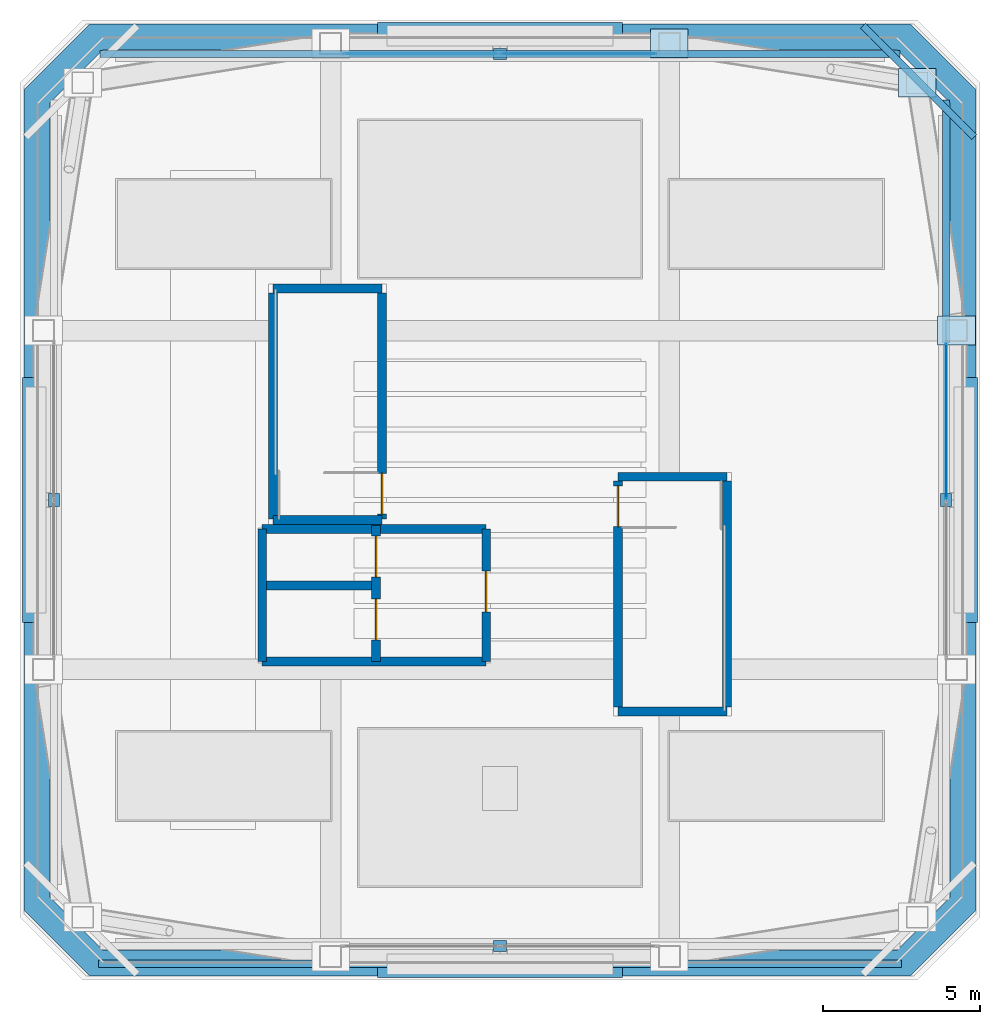
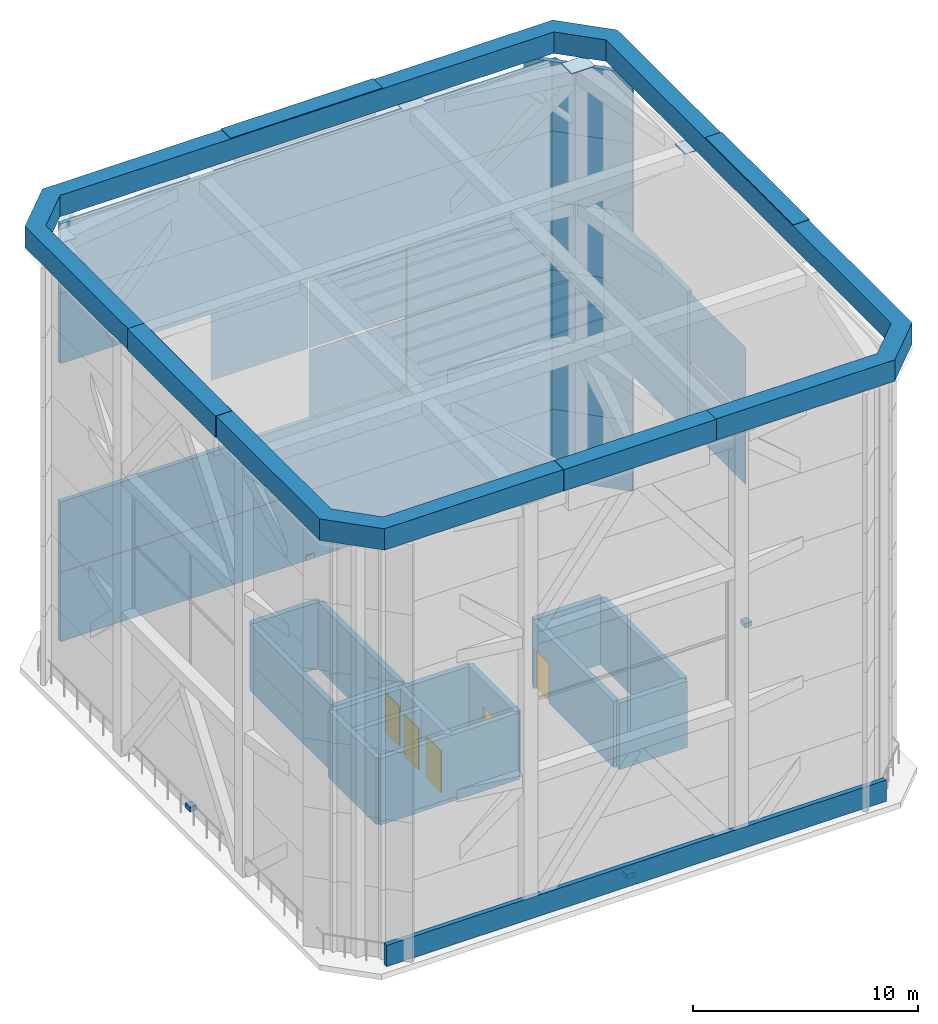
# One storey, part 25 of 28: 22 plates, 15 walls, 5 doors, 5 roofs, 4 discrete accessories, 5 openings, 4 elements without a shape of their own.
"""IFC4 building model written with IfcOpenShell, lengths in metres."""

from ifc_helpers import new_model, si_unit, direction, frame, frame_2d, origin, origin_2d, place, context, subcontext, project, spatial, polyline, rectangle, outline, extrude, material, layer, layer_set, type_object, element, fill, aggregate, save


model = new_model("IFC4")

# Units and contexts
model_context = context("Model", 3, precision=1e-05, world=origin(), true_north=direction((0.0, 1.0)))
body_context = subcontext(model_context, "Body", "Model", "MODEL_VIEW")
ifc_project = project(units=[si_unit("LENGTHUNIT", "METRE"), si_unit("AREAUNIT", "SQUARE_METRE"), si_unit("VOLUMEUNIT", "CUBIC_METRE"), si_unit("PLANEANGLEUNIT", "RADIAN"), si_unit("MASSUNIT", "GRAM", prefix="KILO")], contexts=[model_context])

# Site, building, storey
site_placement = place(None, origin())
site = spatial("IfcSite", under=ifc_project, at=site_placement, CompositionType="ELEMENT")
building_placement = place(site_placement, origin())
building = spatial("IfcBuilding", under=site, at=building_placement, Name="Tashvorn Skyway Center", CompositionType="ELEMENT")
storey_placement = place(building_placement, frame((0.0, 0.0, 277.60009765625)))
storey = spatial("IfcBuildingStorey", under=building, at=storey_placement, Name="Roof Level", CompositionType="ELEMENT", Elevation=277.60009765625)

# Curtain wall, plate
ifc_material_1 = material(Name="Thermally broken bronze-anodized aluminium 6063-T6", Category="aluminium")
curtain_wall_type = type_object("IfcCurtainWallType", Name="CW-CW-SKY", PredefinedType="NOTDEFINED", material=ifc_material_1)
curtain_wall_1_placement = place(storey_placement, origin())
curtain_wall_1 = element("IfcCurtainWall", 1, at=curtain_wall_1_placement, inside=storey, type_object=curtain_wall_type, Name="CROWN Lantern Fritted Curtain Wall T1 E-3", PredefinedType="NOTDEFINED")
ifc_material_2 = material(Name="Low-E solar-control double insulating safety glass", Category="glass")
ifc_layer_1 = layer(ifc_material_2, 0.028076171875)
ifc_layer_set_1 = layer_set([ifc_layer_1], Name="Low-E solar-control double insulating safety glass")
plate_type_1 = type_object("IfcPlateType", Name="CWP-CW-SKY", PredefinedType="CURTAIN_PANEL", material=ifc_layer_set_1)
plate_1_placement = place(storey_placement, frame((56.219970703125, 34.5087890625, 7.5947265625), z_axis=(0.0, 0.0, 1.0), x_axis=(0.0, -1.0, 0.0)))
plate_1 = element("IfcPlate", 2, at=plate_1_placement, type_object=plate_type_1, Name="CW-SKY panel 1.1", PredefinedType="CURTAIN_PANEL", context=body_context, shape_type="SweptSolid", body=[
    extrude(rectangle(XDim=4.952392578125, YDim=0.028076171875, at=origin_2d()), origin(), (0.0, 0.0, 1.0), 3.635009765625),
])
aggregate(curtain_wall_1, [plate_1])

curtain_wall_2_placement = place(storey_placement, origin())
curtain_wall_2 = element("IfcCurtainWall", 3, at=curtain_wall_2_placement, inside=storey, type_object=curtain_wall_type, Name="CROWN Lantern Fritted Curtain Wall T1 E-4", PredefinedType="NOTDEFINED")
plate_2_placement = place(storey_placement, frame((56.219970703125, 34.5087890625, 11.35986328125), z_axis=(0.0, 0.0, 1.0), x_axis=(0.0, -1.0, 0.0)))
plate_2 = element("IfcPlate", 4, at=plate_2_placement, type_object=plate_type_1, Name="CW-SKY panel 1.1", PredefinedType="CURTAIN_PANEL", context=body_context, shape_type="SweptSolid", body=[
    extrude(rectangle(XDim=4.952392578125, YDim=0.028076171875, at=origin_2d()), origin(), (0.0, 0.0, 1.0), 3.635009765625),
])
aggregate(curtain_wall_2, [plate_2])

curtain_wall_3_placement = place(storey_placement, origin())
curtain_wall_3 = element("IfcCurtainWall", 5, at=curtain_wall_3_placement, inside=storey, type_object=curtain_wall_type, Name="CROWN Lantern Fritted Curtain Wall T1 N-3", PredefinedType="NOTDEFINED")
plate_3_placement = place(storey_placement, frame((44.5087890625, 46.219970703125, 7.5947265625), z_axis=(0.0, 0.0, 1.0), x_axis=(1.0, 0.0, 0.0)))
plate_3 = element("IfcPlate", 6, at=plate_3_placement, type_object=plate_type_1, Name="CW-SKY panel 2.1", PredefinedType="CURTAIN_PANEL", context=body_context, shape_type="SweptSolid", body=[
    extrude(rectangle(XDim=4.952392578125, YDim=0.028076171875, at=origin_2d()), origin(), (0.0, 0.0, 1.0), 3.635009765625),
])
aggregate(curtain_wall_3, [plate_3])

# Curtain wall, plates
curtain_wall_4_placement = place(storey_placement, origin())
curtain_wall_4 = element("IfcCurtainWall", 7, at=curtain_wall_4_placement, inside=storey, type_object=curtain_wall_type, Name="CROWN Lantern Fritted Curtain Wall T1 N-4", PredefinedType="NOTDEFINED")
plate_4_placement = place(storey_placement, frame((39.4912109375, 46.219970703125, 11.35986328125), z_axis=(0.0, 0.0, 1.0), x_axis=(1.0, 0.0, 0.0)))
plate_4 = element("IfcPlate", 8, at=plate_4_placement, type_object=plate_type_1, Name="CW-SKY panel 1.1", PredefinedType="CURTAIN_PANEL", context=body_context, shape_type="SweptSolid", body=[
    extrude(rectangle(XDim=4.952392578125, YDim=0.028076171875, at=origin_2d()), origin(), (0.0, 0.0, 1.0), 3.635009765625),
])
plate_5_placement = place(storey_placement, frame((44.5087890625, 46.219970703125, 11.35986328125), z_axis=(0.0, 0.0, 1.0), x_axis=(1.0, 0.0, 0.0)))
plate_5 = element("IfcPlate", 9, at=plate_5_placement, type_object=plate_type_1, Name="CW-SKY panel 2.1", PredefinedType="CURTAIN_PANEL", context=body_context, shape_type="SweptSolid", body=[
    extrude(rectangle(XDim=4.952392578125, YDim=0.028076171875, at=origin_2d()), origin(), (0.0, 0.0, 1.0), 3.635009765625),
])
aggregate(curtain_wall_4, [plate_4, plate_5])

# Plates
ifc_material_3 = material(Name="Steel ASTM A572 Grade 50", Category="steel")
ifc_layer_2 = layer(ifc_material_3, 0.034912109375)
ifc_layer_set_2 = layer_set([ifc_layer_2], Name="Steel ASTM A572 Grade 50")
plate_type_2 = type_object("IfcPlateType", Name="PLT-CAP-35", PredefinedType="USERDEFINED", material=ifc_layer_set_2)
for number, where, z_axis, x_axis, name in (
    (10, (55.300048828125, 45.300048828125, 22.58740234375), (0.0, 0.0, 1.0), (1.0, 0.0, 0.0), "CROWN FRAME Tower 1 Column Cap Plate MC-NE"),
    (11, (56.550048828125, 37.39990234375, 22.58740234375), (0.0, 0.0, 1.0), (1.0, 0.0, 0.0), "CROWN FRAME Tower 1 Column Cap Plate FC-E2"),
    (12, (47.39990234375, 46.550048828125, 22.58740234375), (0.0, 0.0, 1.0), (1.0, 0.0, 0.0), "CROWN FRAME Tower 1 Column Cap Plate FC-N1"),
):
    element("IfcPlate", number, at=place(storey_placement, frame(where, z_axis=z_axis, x_axis=x_axis)), inside=storey, type_object=plate_type_2, Name=name, ObjectType="END PLATE", PredefinedType="USERDEFINED", context=body_context, shape_type="SweptSolid", body=[
        extrude(rectangle(XDim=1.199951171875, YDim=0.919921875, at=origin_2d()), origin(), (0.0, 0.0, 1.0), 0.034912109375),
    ])
ifc_material_4 = material(Name="Perforated ceramic-coated bronze aluminium solar screen", Category="aluminium")
ifc_layer_3 = layer(ifc_material_4, 0.219970703125)
ifc_layer_set_3 = layer_set([ifc_layer_3], Name="Perforated ceramic-coated bronze aluminium solar screen")
plate_type_3 = type_object("IfcPlateType", Name="PLT-CROWN-SCREEN", PredefinedType="USERDEFINED", material=ifc_layer_set_3)
for number, where, z_axis, x_axis, name in (
    (13, (56.219970703125, 40.875, 7.509765625), (0.0, 0.0, 1.0), (0.0, 1.0, 0.0), "CROWN Solar Screen Flanking Panel T1 E-3L"),
    (14, (56.219970703125, 40.875, 11.27490234375), (0.0, 0.0, 1.0), (0.0, 1.0, 0.0), "CROWN Solar Screen Flanking Panel T1 E-4L"),
):
    element("IfcPlate", number, at=place(storey_placement, frame(where, z_axis=z_axis, x_axis=x_axis)), inside=storey, type_object=plate_type_3, Name=name, ObjectType="SOLAR SCREEN", PredefinedType="USERDEFINED", context=body_context, shape_type="SweptSolid", body=[
        extrude(rectangle(XDim=7.75, YDim=0.219970703125, at=origin_2d()), origin(), (0.0, 0.0, 1.0), 3.804931640625),
    ])
for number, where, z_axis, x_axis, name in (
    (15, (42.0, 46.219970703125, -0.02001953125), (0.0, 0.0, 1.0), (-1.0, 0.0, 0.0), "CROWN Perforated Ceramic-Metal Solar Screen Panel T1 N-1"),
    (16, (42.0, 46.219970703125, 3.7451171875), (0.0, 0.0, 1.0), (-1.0, 0.0, 0.0), "CROWN Perforated Ceramic-Metal Solar Screen Panel T1 N-2"),
):
    element("IfcPlate", number, at=place(storey_placement, frame(where, z_axis=z_axis, x_axis=x_axis)), inside=storey, type_object=plate_type_3, Name=name, ObjectType="SOLAR SCREEN", PredefinedType="USERDEFINED", context=body_context, shape_type="SweptSolid", body=[
        extrude(rectangle(XDim=25.5, YDim=0.219970703125, at=origin_2d()), origin(), (0.0, 0.0, 1.0), 3.804931640625),
    ])
for number, where, z_axis, x_axis, name in (
    (17, (50.875, 46.219970703125, 7.509765625), (0.0, 0.0, 1.0), (-1.0, 0.0, 0.0), "CROWN Solar Screen Flanking Panel T1 N-3R"),
    (18, (50.875, 46.219970703125, 11.27490234375), (0.0, 0.0, 1.0), (-1.0, 0.0, 0.0), "CROWN Solar Screen Flanking Panel T1 N-4R"),
):
    element("IfcPlate", number, at=place(storey_placement, frame(where, z_axis=z_axis, x_axis=x_axis)), inside=storey, type_object=plate_type_3, Name=name, ObjectType="SOLAR SCREEN", PredefinedType="USERDEFINED", context=body_context, shape_type="SweptSolid", body=[
        extrude(rectangle(XDim=7.75, YDim=0.219970703125, at=origin_2d()), origin(), (0.0, 0.0, 1.0), 3.804931640625),
    ])
for number, where, z_axis, x_axis, name in (
    (19, (42.0, 46.219970703125, 15.0400390625), (0.0, 0.0, 1.0), (-1.0, 0.0, 0.0), "CROWN Perforated Ceramic-Metal Solar Screen Panel T1 N-5"),
    (20, (42.0, 46.219970703125, 18.80517578125), (0.0, 0.0, 1.0), (-1.0, 0.0, 0.0), "CROWN Perforated Ceramic-Metal Solar Screen Panel T1 N-6"),
):
    element("IfcPlate", number, at=place(storey_placement, frame(where, z_axis=z_axis, x_axis=x_axis)), inside=storey, type_object=plate_type_3, Name=name, ObjectType="SOLAR SCREEN", PredefinedType="USERDEFINED", context=body_context, shape_type="SweptSolid", body=[
        extrude(rectangle(XDim=25.5, YDim=0.219970703125, at=origin_2d()), origin(), (0.0, 0.0, 1.0), 3.804931640625),
    ])
for number, where, z_axis, x_axis, name in (
    (21, (55.344970703125, 45.344970703125, -0.02001953125), (0.0, 0.0, 1.0), (0.707106781187, -0.707106781187, 0.0), "CROWN Perforated Ceramic-Metal Solar Screen Chamfer Panel T1 NE-1"),
    (22, (55.344970703125, 45.344970703125, 3.7451171875), (0.0, 0.0, 1.0), (0.707106781187, -0.707106781187, 0.0), "CROWN Perforated Ceramic-Metal Solar Screen Chamfer Panel T1 NE-2"),
    (23, (55.344970703125, 45.344970703125, 7.509765625), (0.0, 0.0, 1.0), (0.707106781187, -0.707106781187, 0.0), "CROWN Perforated Ceramic-Metal Solar Screen Chamfer Panel T1 NE-3"),
    (24, (55.344970703125, 45.344970703125, 11.27490234375), (0.0, 0.0, 1.0), (0.707106781187, -0.707106781187, 0.0), "CROWN Perforated Ceramic-Metal Solar Screen Chamfer Panel T1 NE-4"),
    (25, (55.344970703125, 45.344970703125, 15.0400390625), (0.0, 0.0, 1.0), (0.707106781187, -0.707106781187, 0.0), "CROWN Perforated Ceramic-Metal Solar Screen Chamfer Panel T1 NE-5"),
    (26, (55.344970703125, 45.344970703125, 18.80517578125), (0.0, 0.0, 1.0), (0.707106781187, -0.707106781187, 0.0), "CROWN Perforated Ceramic-Metal Solar Screen Chamfer Panel T1 NE-6"),
):
    element("IfcPlate", number, at=place(storey_placement, frame(where, z_axis=z_axis, x_axis=x_axis)), inside=storey, type_object=plate_type_3, Name=name, ObjectType="SOLAR SCREEN", PredefinedType="USERDEFINED", context=body_context, shape_type="SweptSolid", body=[
        extrude(rectangle(XDim=5.022705078125, YDim=0.219970703125, at=origin_2d()), origin(), (0.0, 0.0, 1.0), 3.804931640625),
    ])

# Walls
ifc_material_5 = material(Name="Precast concrete C40/50", Category="concrete")
ifc_layer_4 = layer(ifc_material_5, 0.239990234375)
ifc_layer_set_4 = layer_set([ifc_layer_4], Name="Precast concrete C40/50")
wall_type_1 = type_object("IfcWallType", Name="WALL-PARA-240", PredefinedType="PARAPET", material=ifc_layer_set_4)
wall_1_placement = place(storey_placement, frame((54.800048828125, 17.219970703125, 0.0), z_axis=(0.0, 0.0, 1.0), x_axis=(-1.0, 0.0, 0.0)))
element("IfcWall", 27, at=wall_1_placement, inside=storey, type_object=wall_type_1, Name="Tower 1 Main Roof South Parapet", PredefinedType="PARAPET", context=body_context, shape_type="SweptSolid", body=[
    extrude(rectangle(XDim=25.60009765625, YDim=0.239990234375, at=frame_2d((12.800048828125, 0.0))), origin(), (0.0, 0.0, 1.0), 1.14990234375),
])
ifc_layer_5 = layer(ifc_material_5, 0.280029296875)
ifc_layer_set_5 = layer_set([ifc_layer_5], Name="Precast concrete C40/50")
wall_type_2 = type_object("IfcWallType", Name="WALL-PH-280", PredefinedType="SOLIDWALL", material=ifc_layer_set_5)
for number, where, z_axis, x_axis, name in (
    (28, (38.239990234375, 31.360107421875, 0.0), (0.0, 0.0, 1.0), (-1.0, 0.0, 0.0), "Tower 1 Stair 1 Penthouse South Wall"),
    (29, (34.760009765625, 38.739990234375, 0.0), (0.0, 0.0, 1.0), (1.0, 0.0, 0.0), "Tower 1 Stair 1 Penthouse North Wall"),
):
    element("IfcWall", number, at=place(storey_placement, frame(where, z_axis=z_axis, x_axis=x_axis)), inside=storey, type_object=wall_type_2, Name=name, PredefinedType="SOLIDWALL", context=body_context, shape_type="SweptSolid", body=[
        extrude(rectangle(XDim=3.47998046875, YDim=0.280029296875, at=frame_2d((1.739990234375, 0.0))), origin(), (0.0, 0.0, 1.0), 3.599853515625),
    ])

# Wall, opening, door
wall_2_placement = place(storey_placement, frame((38.239990234375, 38.60009765625, 0.0), z_axis=(0.0, 0.0, 1.0), x_axis=(0.0, -1.0, 0.0)))
wall_2 = element("IfcWall", 30, at=wall_2_placement, inside=storey, type_object=wall_type_2, Name="Tower 1 Stair 1 Penthouse East Wall", PredefinedType="SOLIDWALL", context=body_context, shape_type="SweptSolid", body=[
    extrude(rectangle(XDim=7.2001953125, YDim=0.280029296875, at=frame_2d((3.60009765625, 0.0))), origin(), (0.0, 0.0, 1.0), 3.599853515625),
])
opening_1_placement = place(wall_2_placement, frame((5.75, 0.0, 0.0)))
opening_1 = element("IfcOpeningElement", 31, at=opening_1_placement, cuts=wall_2, Name="Opening D-TER-1300", PredefinedType="OPENING", context=body_context, shape_type="SweptSolid", body=[
    extrude(rectangle(XDim=1.300048828125, YDim=2.14990234375, at=frame_2d((0.64990234375, 1.074951171875))), frame((0.0, 0.14990234375, 0.0), z_axis=(0.0, -1.0, 0.0), x_axis=(1.0, 0.0, 0.0)), (0.0, 0.0, 1.0), 0.300048828125),
])
door_type_1 = type_object("IfcDoorType", Name="DOOR-TERR-1300", OperationType="NOTDEFINED", PredefinedType="DOOR", material=ifc_material_1)
door_1_placement = place(opening_1_placement, origin())
door_1 = element("IfcDoor", 32, at=door_1_placement, inside=storey, type_object=door_type_1, Name="Tower 1 Stair 1 Roof Plant Deck Door", OperationType="SINGLE_SWING_LEFT", OverallHeight=2.14990234375, OverallWidth=1.300048828125, PredefinedType="DOOR", context=body_context, shape_type="SweptSolid", body=[
    extrude(rectangle(XDim=1.300048828125, YDim=2.14990234375, at=frame_2d((0.64990234375, 1.074951171875))), frame((0.0, 0.02490234375, 0.0), z_axis=(0.0, -1.0, 0.0), x_axis=(1.0, 0.0, 0.0)), (0.0, 0.0, 1.0), 0.050048828125),
])
fill(opening_1, door_1)

# Walls
wall_3_placement = place(storey_placement, frame((34.760009765625, 31.39990234375, 0.0), z_axis=(0.0, 0.0, 1.0), x_axis=(0.0, 1.0, 0.0)))
element("IfcWall", 33, at=wall_3_placement, inside=storey, type_object=wall_type_2, Name="Tower 1 Stair 1 Penthouse West Wall", PredefinedType="SOLIDWALL", context=body_context, shape_type="SweptSolid", body=[
    extrude(rectangle(XDim=7.2001953125, YDim=0.280029296875, at=frame_2d((3.60009765625, 0.0))), origin(), (0.0, 0.0, 1.0), 3.599853515625),
])
for number, where, z_axis, x_axis, name in (
    (34, (49.239990234375, 25.260009765625, 0.0), (0.0, 0.0, 1.0), (-1.0, 0.0, 0.0), "Tower 1 Stair 2 Penthouse South Wall"),
    (35, (45.760009765625, 32.739990234375, 0.0), (0.0, 0.0, 1.0), (1.0, 0.0, 0.0), "Tower 1 Stair 2 Penthouse North Wall"),
):
    element("IfcWall", number, at=place(storey_placement, frame(where, z_axis=z_axis, x_axis=x_axis)), inside=storey, type_object=wall_type_2, Name=name, PredefinedType="SOLIDWALL", context=body_context, shape_type="SweptSolid", body=[
        extrude(rectangle(XDim=3.47998046875, YDim=0.280029296875, at=frame_2d((1.739990234375, 0.0))), origin(), (0.0, 0.0, 1.0), 3.599853515625),
    ])
wall_4_placement = place(storey_placement, frame((49.239990234375, 32.60009765625, 0.0), z_axis=(0.0, 0.0, 1.0), x_axis=(0.0, -1.0, 0.0)))
element("IfcWall", 36, at=wall_4_placement, inside=storey, type_object=wall_type_2, Name="Tower 1 Stair 2 Penthouse East Wall", PredefinedType="SOLIDWALL", context=body_context, shape_type="SweptSolid", body=[
    extrude(rectangle(XDim=7.2001953125, YDim=0.280029296875, at=frame_2d((3.60009765625, 0.0))), origin(), (0.0, 0.0, 1.0), 3.599853515625),
])

# Wall, opening, door
wall_5_placement = place(storey_placement, frame((45.760009765625, 25.39990234375, 0.0), z_axis=(0.0, 0.0, 1.0), x_axis=(0.0, 1.0, 0.0)))
wall_5 = element("IfcWall", 37, at=wall_5_placement, inside=storey, type_object=wall_type_2, Name="Tower 1 Stair 2 Penthouse West Wall", PredefinedType="SOLIDWALL", context=body_context, shape_type="SweptSolid", body=[
    extrude(rectangle(XDim=7.2001953125, YDim=0.280029296875, at=frame_2d((3.60009765625, 0.0))), origin(), (0.0, 0.0, 1.0), 3.599853515625),
])
opening_2_placement = place(wall_5_placement, frame((5.75, 0.0, 0.0)))
opening_2 = element("IfcOpeningElement", 38, at=opening_2_placement, cuts=wall_5, Name="Opening D-TER-1300", PredefinedType="OPENING", context=body_context, shape_type="SweptSolid", body=[
    extrude(rectangle(XDim=1.300048828125, YDim=2.14990234375, at=frame_2d((0.64990234375, 1.074951171875))), frame((0.0, 0.14990234375, 0.0), z_axis=(0.0, -1.0, 0.0), x_axis=(1.0, 0.0, 0.0)), (0.0, 0.0, 1.0), 0.300048828125),
])
door_2_placement = place(opening_2_placement, origin())
door_2 = element("IfcDoor", 39, at=door_2_placement, inside=storey, type_object=door_type_1, Name="Tower 1 Stair 2 Roof Plant Deck Door", OperationType="SINGLE_SWING_LEFT", OverallHeight=2.14990234375, OverallWidth=1.300048828125, PredefinedType="DOOR", context=body_context, shape_type="SweptSolid", body=[
    extrude(rectangle(XDim=1.300048828125, YDim=2.14990234375, at=frame_2d((0.64990234375, 1.074951171875))), frame((0.0, 0.02490234375, 0.0), z_axis=(0.0, -1.0, 0.0), x_axis=(1.0, 0.0, 0.0)), (0.0, 0.0, 1.0), 0.050048828125),
])
fill(opening_2, door_2)

# Wall, openings, doors
wall_6_placement = place(storey_placement, frame((38.050048828125, 26.85009765625, 0.0), z_axis=(0.0, 0.0, 1.0), x_axis=(0.0, 1.0, 0.0)))
wall_6 = element("IfcWall", 40, at=wall_6_placement, inside=storey, type_object=wall_type_2, Name="Tower 1 Roof FSAE Lift Shaft Front Wall", PredefinedType="SOLIDWALL", context=body_context, shape_type="SweptSolid", body=[
    extrude(rectangle(XDim=4.329833984375, YDim=0.280029296875, at=frame_2d((2.1650390625, 0.0))), origin(), (0.0, 0.0, 1.0), 3.599853515625),
])
opening_3_placement = place(wall_6_placement, frame((2.695068359375, 0.0, 0.0)))
opening_3 = element("IfcOpeningElement", 41, at=opening_3_placement, cuts=wall_6, Name="Opening LD-FF-T1-1-RF", PredefinedType="OPENING", context=body_context, shape_type="SweptSolid", body=[
    extrude(rectangle(XDim=1.300048828125, YDim=2.25, at=frame_2d((0.64990234375, 1.125))), frame((0.0, 0.14990234375, 0.0), z_axis=(0.0, -1.0, 0.0), x_axis=(1.0, 0.0, 0.0)), (0.0, 0.0, 1.0), 0.300048828125),
])
opening_4_placement = place(wall_6_placement, frame((0.695068359375, 0.0, 0.0)))
opening_4 = element("IfcOpeningElement", 42, at=opening_4_placement, cuts=wall_6, Name="Opening LD-FF-T1-2-RF", PredefinedType="OPENING", context=body_context, shape_type="SweptSolid", body=[
    extrude(rectangle(XDim=1.300048828125, YDim=2.25, at=frame_2d((0.64990234375, 1.125))), frame((0.0, 0.14990234375, 0.0), z_axis=(0.0, -1.0, 0.0), x_axis=(1.0, 0.0, 0.0)), (0.0, 0.0, 1.0), 0.300048828125),
])
ifc_material_6 = material(Name="Stainless steel heavy-duty landing door", Category="steel")
door_type_2 = type_object("IfcDoorType", Name="DOOR-LIFT-1300", OperationType="SLIDING_TO_LEFT", PredefinedType="DOOR", material=ifc_material_6)
door_3_placement = place(opening_3_placement, origin())
door_3 = element("IfcDoor", 43, at=door_3_placement, inside=storey, type_object=door_type_2, Name="Lift FF-T1-1 Roof Level Landing Door", OperationType="SLIDING_TO_LEFT", OverallHeight=2.25, OverallWidth=1.300048828125, PredefinedType="DOOR", context=body_context, shape_type="SweptSolid", body=[
    extrude(rectangle(XDim=1.300048828125, YDim=2.25, at=frame_2d((0.64990234375, 1.125))), frame((0.0, 0.02490234375, 0.0), z_axis=(0.0, -1.0, 0.0), x_axis=(1.0, 0.0, 0.0)), (0.0, 0.0, 1.0), 0.050048828125),
])
fill(opening_3, door_3)
door_4_placement = place(opening_4_placement, origin())
door_4 = element("IfcDoor", 44, at=door_4_placement, inside=storey, type_object=door_type_2, Name="Lift FF-T1-2 Roof Level Landing Door", OperationType="SLIDING_TO_LEFT", OverallHeight=2.25, OverallWidth=1.300048828125, PredefinedType="DOOR", context=body_context, shape_type="SweptSolid", body=[
    extrude(rectangle(XDim=1.300048828125, YDim=2.25, at=frame_2d((0.64990234375, 1.125))), frame((0.0, 0.02490234375, 0.0), z_axis=(0.0, -1.0, 0.0), x_axis=(1.0, 0.0, 0.0)), (0.0, 0.0, 1.0), 0.050048828125),
])
fill(opening_4, door_4)

# Walls
wall_7_placement = place(storey_placement, frame((34.419921875, 26.85009765625, 0.0), z_axis=(0.0, 0.0, 1.0), x_axis=(0.0, 1.0, 0.0)))
element("IfcWall", 45, at=wall_7_placement, inside=storey, type_object=wall_type_2, Name="Tower 1 Roof FSAE Shaft West Wall", PredefinedType="SOLIDWALL", context=body_context, shape_type="SweptSolid", body=[
    extrude(rectangle(XDim=4.22998046875, YDim=0.280029296875, at=frame_2d((2.114990234375, 0.0))), origin(), (0.0, 0.0, 1.0), 3.599853515625),
])
wall_8_placement = place(storey_placement, frame((34.56005859375, 29.27490234375, 0.0), z_axis=(0.0, 0.0, 1.0), x_axis=(1.0, 0.0, 0.0)))
element("IfcWall", 46, at=wall_8_placement, inside=storey, type_object=wall_type_2, Name="Tower 1 Roof FSAE Shaft Divider Wall", PredefinedType="SOLIDWALL", context=body_context, shape_type="SweptSolid", body=[
    extrude(rectangle(XDim=3.349853515625, YDim=0.280029296875, at=frame_2d((1.6748046875, 0.0))), origin(), (0.0, 0.0, 1.0), 3.599853515625),
])
for number, where, z_axis, x_axis, name in (
    (47, (41.56005859375, 26.85009765625, 0.0), (0.0, 0.0, 1.0), (-1.0, 0.0, 0.0), "Tower 1 Roof FSAE Lobby South Wall"),
    (48, (34.419921875, 31.080078125, 0.0), (0.0, 0.0, 1.0), (1.0, 0.0, 0.0), "Tower 1 Roof FSAE Lobby North Wall"),
):
    element("IfcWall", number, at=place(storey_placement, frame(where, z_axis=z_axis, x_axis=x_axis)), inside=storey, type_object=wall_type_2, Name=name, PredefinedType="SOLIDWALL", context=body_context, shape_type="SweptSolid", body=[
        extrude(rectangle(XDim=7.14013671875, YDim=0.280029296875, at=frame_2d((3.570068359375, 0.0))), origin(), (0.0, 0.0, 1.0), 3.599853515625),
    ])

# Wall, opening, door
wall_9_placement = place(storey_placement, frame((41.56005859375, 31.080078125, 0.0), z_axis=(0.0, 0.0, 1.0), x_axis=(0.0, -1.0, 0.0)))
wall_9 = element("IfcWall", 49, at=wall_9_placement, inside=storey, type_object=wall_type_2, Name="Tower 1 Roof FSAE Lobby East Wall", PredefinedType="SOLIDWALL", context=body_context, shape_type="SweptSolid", body=[
    extrude(rectangle(XDim=4.22998046875, YDim=0.280029296875, at=frame_2d((2.114990234375, 0.0))), origin(), (0.0, 0.0, 1.0), 3.599853515625),
])
opening_5_placement = place(wall_9_placement, frame((1.35009765625, 0.0, 0.0)))
opening_5 = element("IfcOpeningElement", 50, at=opening_5_placement, cuts=wall_9, Name="Opening D-TER-1300", PredefinedType="OPENING", context=body_context, shape_type="SweptSolid", body=[
    extrude(rectangle(XDim=1.300048828125, YDim=2.14990234375, at=frame_2d((0.64990234375, 1.074951171875))), frame((0.0, 0.14990234375, 0.0), z_axis=(0.0, -1.0, 0.0), x_axis=(1.0, 0.0, 0.0)), (0.0, 0.0, 1.0), 0.300048828125),
])
door_5_placement = place(opening_5_placement, origin())
door_5 = element("IfcDoor", 51, at=door_5_placement, inside=storey, type_object=door_type_1, Name="Tower 1 Roof Service Lift Lobby Deck Door", OperationType="SINGLE_SWING_RIGHT", OverallHeight=2.14990234375, OverallWidth=1.300048828125, PredefinedType="DOOR", context=body_context, shape_type="SweptSolid", body=[
    extrude(rectangle(XDim=1.300048828125, YDim=2.14990234375, at=frame_2d((0.64990234375, 1.074951171875))), frame((0.0, 0.02490234375, 0.0), z_axis=(0.0, -1.0, 0.0), x_axis=(1.0, 0.0, 0.0)), (0.0, 0.0, 1.0), 0.050048828125),
])
fill(opening_5, door_5)

# Roofs
ifc_material_7 = material(Name="Architectural glazed Mojave terracotta roof and cornice system", Category="masonry")
ifc_layer_6 = layer(ifc_material_7, 0.360107421875)
ifc_layer_set_6 = layer_set([ifc_layer_6], Name="Architectural glazed Mojave terracotta roof and cornice system")
roof_type = type_object("IfcRoofType", Name="ROOF-PM-CORNICE", PredefinedType="GABLE_ROOF", material=ifc_layer_set_6)
for number, where, z_axis, x_axis, name in (
    (52, (42.0, 17.199951171875, 22.83984375), (0.0, 0.0, 1.0), (1.0, 0.0, 0.0), "CROWN Postmodern Terracotta Crest T1 S"),
    (53, (56.800048828125, 32.0, 22.83984375), (0.0, 0.0, 1.0), (0.0, 1.0, 0.0), "CROWN Postmodern Terracotta Crest T1 E"),
    (54, (42.0, 46.800048828125, 22.83984375), (0.0, 0.0, 1.0), (-1.0, 0.0, 0.0), "CROWN Postmodern Terracotta Crest T1 N"),
    (55, (27.199951171875, 32.0, 22.83984375), (0.0, 0.0, 1.0), (0.0, -1.0, 0.0), "CROWN Postmodern Terracotta Crest T1 W"),
):
    element("IfcRoof", number, at=place(storey_placement, frame(where, z_axis=z_axis, x_axis=x_axis)), inside=storey, type_object=roof_type, Name=name, PredefinedType="GABLE_ROOF", context=body_context, shape_type="SweptSolid", body=[
        extrude(rectangle(XDim=7.800048828125, YDim=0.85009765625, at=origin_2d()), origin(), (0.0, 0.0, 1.0), 1.159912109375),
    ])
roof_placement = place(storey_placement, frame((0.0, 0.0, 22.81982421875)))
element("IfcRoof", 56, at=roof_placement, inside=storey, type_object=roof_type, Name="CROWN Postmodern Stepped Octagonal Terracotta Cornice T1", PredefinedType="GABLE_ROOF", context=body_context, shape_type="SweptSolid", body=[
    extrude(outline(polyline([(28.925048828125, 16.824951171875), (55.074951171875, 16.824951171875), (57.175048828125, 18.925048828125), (57.175048828125, 45.074951171875), (55.074951171875, 47.175048828125), (28.925048828125, 47.175048828125), (26.824951171875, 45.074951171875), (26.824951171875, 18.925048828125), (28.925048828125, 16.824951171875)]), holes=[polyline([(29.35009765625, 17.64990234375), (54.64990234375, 17.64990234375), (56.35009765625, 19.35009765625), (56.35009765625, 44.64990234375), (54.64990234375, 46.35009765625), (29.35009765625, 46.35009765625), (27.64990234375, 44.64990234375), (27.64990234375, 19.35009765625), (29.35009765625, 17.64990234375)])]), origin(), (0.0, 0.0, 1.0), 1.16015625),
])

# Discrete accessories
discrete_accessory_type = type_object("IfcDiscreteAccessoryType", Name="ACC-BRACKET-350", PredefinedType="BRACKET", material=ifc_material_3)
for number, where, z_axis, x_axis, name in (
    (57, (42.0, 17.780029296875, 0.02490234375), (0.0, 0.0, 1.0), (1.0, 0.0, 0.0), "Crown Solar Screen Fixing Bracket Tower 1 S"),
    (58, (56.219970703125, 32.0, 0.02490234375), (0.0, 0.0, 1.0), (0.0, 1.0, 0.0), "Crown Solar Screen Fixing Bracket Tower 1 E"),
    (59, (42.0, 46.219970703125, 0.02490234375), (0.0, 0.0, 1.0), (-1.0, 0.0, 0.0), "Crown Solar Screen Fixing Bracket Tower 1 N"),
    (60, (27.780029296875, 32.0, 0.02490234375), (0.0, 0.0, 1.0), (0.0, -1.0, 0.0), "Crown Solar Screen Fixing Bracket Tower 1 W"),
):
    element("IfcDiscreteAccessory", number, at=place(storey_placement, frame(where, z_axis=z_axis, x_axis=x_axis)), inside=storey, type_object=discrete_accessory_type, Name=name, PredefinedType="BRACKET", context=body_context, shape_type="SweptSolid", body=[
        extrude(rectangle(XDim=0.419921875, YDim=0.35009765625, at=origin_2d()), origin(), (0.0, 0.0, 1.0), 0.25),
    ])

save(model, "model.ifc")
